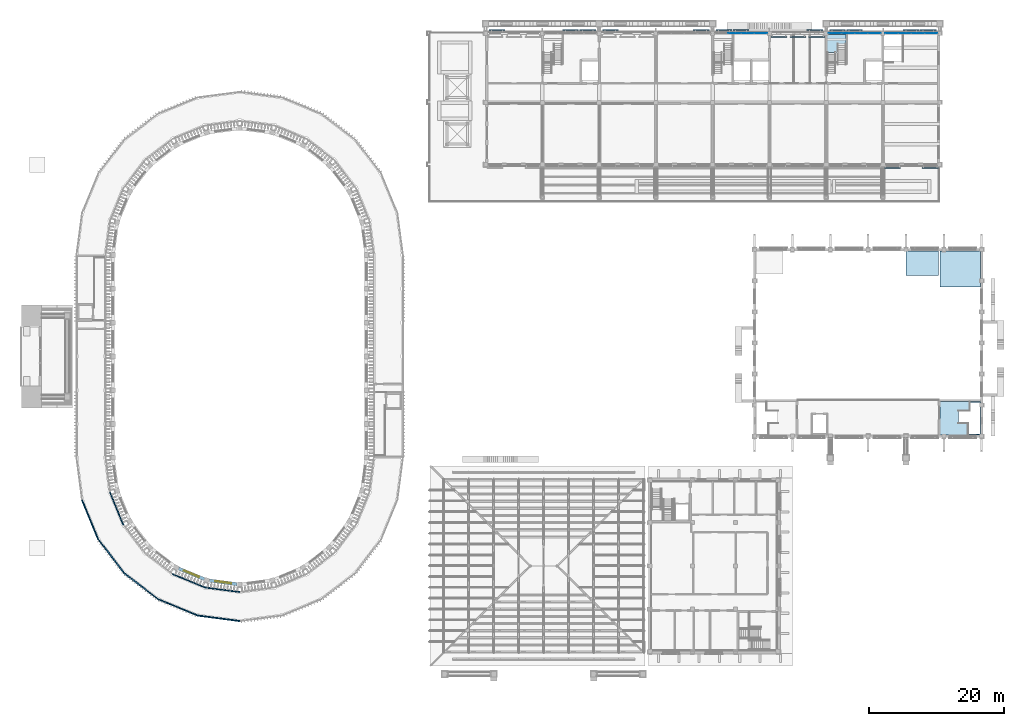
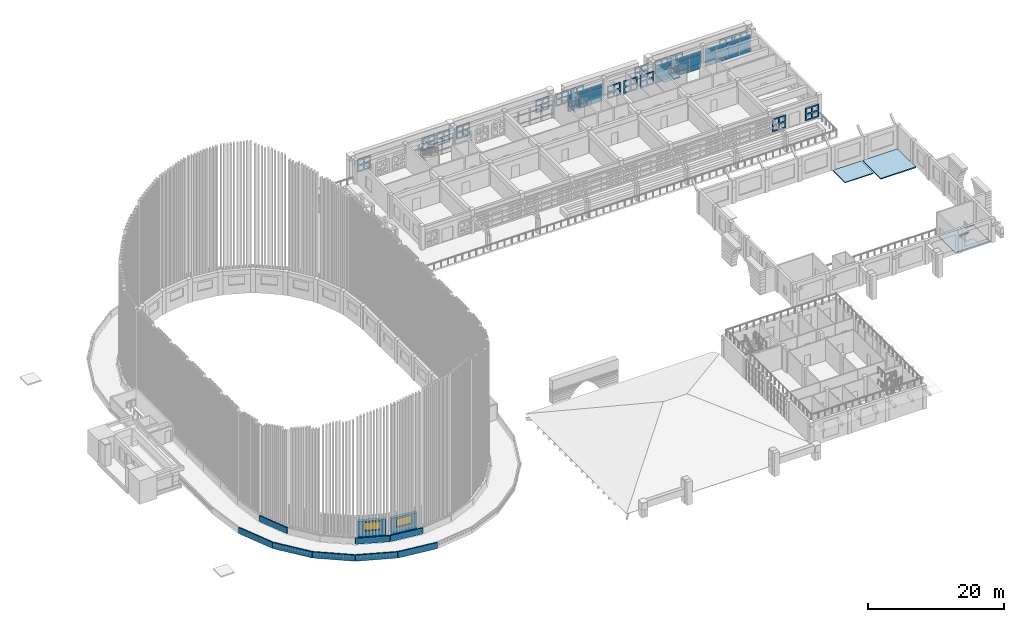
# One storey, part 20 of 68: 50 plates, 10 walls, 4 slabs, 2 windows, 2 openings, 4 elements without a shape of their own.
"""IFC4 building model written with IfcOpenShell, lengths in metres."""

from ifc_helpers import new_model, si_unit, direction, frame, frame_2d, origin, origin_2d, place, context, subcontext, project, spatial, polyline, rectangle, outline, extrude, material, layer, layer_set, material_profile, profile_set, type_object, element, fill, aggregate, save


model = new_model("IFC4")

# Units and contexts
model_context = context("Model", 3, precision=1e-05, world=origin(), true_north=direction((0.0, 1.0)))
body_context = subcontext(model_context, "Body", "Model", "MODEL_VIEW")
ifc_project = project(units=[si_unit("LENGTHUNIT", "METRE"), si_unit("AREAUNIT", "SQUARE_METRE"), si_unit("VOLUMEUNIT", "CUBIC_METRE"), si_unit("PLANEANGLEUNIT", "RADIAN"), si_unit("MASSUNIT", "GRAM", prefix="KILO")], contexts=[model_context])

# Site, building, storey
site_placement = place(None, origin())
site = spatial("IfcSite", under=ifc_project, at=site_placement, CompositionType="ELEMENT")
building_placement = place(site_placement, origin())
building = spatial("IfcBuilding", under=site, at=building_placement, Name="Wasatch Bagh Community Centre", CompositionType="ELEMENT")
storey_placement = place(building_placement, frame((0.0, 0.0, 8.39990234375)))
storey = spatial("IfcBuildingStorey", under=building, at=storey_placement, Name="L02", CompositionType="ELEMENT", Elevation=8.39990234375)

# Curtain wall, plates
ifc_material_1 = material(Name="Aluminium curtain wall frame with low-iron glass", Category="aluminium")
ifc_layer_1 = layer(ifc_material_1, 0.10009765625)
ifc_layer_set_1 = layer_set([ifc_layer_1], Name="Aluminium curtain wall frame with low-iron glass")
curtain_wall_type = type_object("IfcCurtainWallType", Name="LW curtain wall 100", PredefinedType="NOTDEFINED", material=ifc_layer_set_1)
curtain_wall_1_placement = place(storey_placement, origin())
curtain_wall_1 = element("IfcCurtainWall", 1, at=curtain_wall_1_placement, inside=storey, type_object=curtain_wall_type, Name="Curtain wall 02.03", PredefinedType="NOTDEFINED")
ifc_material_2 = material(Name="Low-iron insulated glass", Category="glass")
ifc_layer_2 = layer(ifc_material_2, 0.028076171875)
ifc_layer_set_2 = layer_set([ifc_layer_2], Name="Low-iron insulated glass")
plate_type_1 = type_object("IfcPlateType", Name="LW curtain wall panel 28", PredefinedType="CURTAIN_PANEL", material=ifc_layer_set_2)
plate_1_placement = place(storey_placement, frame((109.22509765625, 97.800048828125, 0.06005859375), z_axis=(0.0, 0.0, 1.0), x_axis=(1.0, 0.0, 0.0)))
plate_1 = element("IfcPlate", 2, at=plate_1_placement, type_object=plate_type_1, Name="LW-CW1 panel 2.1", PredefinedType="CURTAIN_PANEL", context=body_context, shape_type="SweptSolid", body=[
    extrude(rectangle(XDim=1.889892578125, YDim=0.028076171875, at=origin_2d()), origin(), (0.0, 0.0, 1.0), 0.81005859375),
])
plate_2_placement = place(storey_placement, frame((109.22509765625, 97.800048828125, 0.93017578125), z_axis=(0.0, 0.0, 1.0), x_axis=(1.0, 0.0, 0.0)))
plate_2 = element("IfcPlate", 3, at=plate_2_placement, type_object=plate_type_1, Name="LW-CW1 panel 2.2", PredefinedType="CURTAIN_PANEL", context=body_context, shape_type="SweptSolid", body=[
    extrude(rectangle(XDim=1.889892578125, YDim=0.028076171875, at=origin_2d()), origin(), (0.0, 0.0, 1.0), 1.43994140625),
])
plate_3_placement = place(storey_placement, frame((109.22509765625, 97.800048828125, 2.43017578125), z_axis=(0.0, 0.0, 1.0), x_axis=(1.0, 0.0, 0.0)))
plate_3 = element("IfcPlate", 4, at=plate_3_placement, type_object=plate_type_1, Name="LW-CW1 panel 2.3", PredefinedType="CURTAIN_PANEL", context=body_context, shape_type="SweptSolid", body=[
    extrude(rectangle(XDim=1.889892578125, YDim=0.028076171875, at=origin_2d()), origin(), (0.0, 0.0, 1.0), 0.830078125),
])
plate_4_placement = place(storey_placement, frame((111.175048828125, 97.800048828125, 0.06005859375), z_axis=(0.0, 0.0, 1.0), x_axis=(1.0, 0.0, 0.0)))
plate_4 = element("IfcPlate", 5, at=plate_4_placement, type_object=plate_type_1, Name="LW-CW1 panel 3.1", PredefinedType="CURTAIN_PANEL", context=body_context, shape_type="SweptSolid", body=[
    extrude(rectangle(XDim=1.889892578125, YDim=0.028076171875, at=origin_2d()), origin(), (0.0, 0.0, 1.0), 0.81005859375),
])
plate_5_placement = place(storey_placement, frame((111.175048828125, 97.800048828125, 0.93017578125), z_axis=(0.0, 0.0, 1.0), x_axis=(1.0, 0.0, 0.0)))
plate_5 = element("IfcPlate", 6, at=plate_5_placement, type_object=plate_type_1, Name="LW-CW1 panel 3.2", PredefinedType="CURTAIN_PANEL", context=body_context, shape_type="SweptSolid", body=[
    extrude(rectangle(XDim=1.889892578125, YDim=0.028076171875, at=origin_2d()), origin(), (0.0, 0.0, 1.0), 1.43994140625),
])
plate_6_placement = place(storey_placement, frame((111.175048828125, 97.800048828125, 2.43017578125), z_axis=(0.0, 0.0, 1.0), x_axis=(1.0, 0.0, 0.0)))
plate_6 = element("IfcPlate", 7, at=plate_6_placement, type_object=plate_type_1, Name="LW-CW1 panel 3.3", PredefinedType="CURTAIN_PANEL", context=body_context, shape_type="SweptSolid", body=[
    extrude(rectangle(XDim=1.889892578125, YDim=0.028076171875, at=origin_2d()), origin(), (0.0, 0.0, 1.0), 0.830078125),
])
plate_7_placement = place(storey_placement, frame((113.110107421875, 97.800048828125, 0.06005859375), z_axis=(0.0, 0.0, 1.0), x_axis=(1.0, 0.0, 0.0)))
plate_7 = element("IfcPlate", 8, at=plate_7_placement, type_object=plate_type_1, Name="LW-CW1 panel 4.1", PredefinedType="CURTAIN_PANEL", context=body_context, shape_type="SweptSolid", body=[
    extrude(rectangle(XDim=1.860107421875, YDim=0.028076171875, at=origin_2d()), origin(), (0.0, 0.0, 1.0), 0.81005859375),
])
plate_8_placement = place(storey_placement, frame((113.110107421875, 97.800048828125, 0.93017578125), z_axis=(0.0, 0.0, 1.0), x_axis=(1.0, 0.0, 0.0)))
plate_8 = element("IfcPlate", 9, at=plate_8_placement, type_object=plate_type_1, Name="LW-CW1 panel 4.2", PredefinedType="CURTAIN_PANEL", context=body_context, shape_type="SweptSolid", body=[
    extrude(rectangle(XDim=1.860107421875, YDim=0.028076171875, at=origin_2d()), origin(), (0.0, 0.0, 1.0), 1.43994140625),
])
plate_9_placement = place(storey_placement, frame((113.110107421875, 97.800048828125, 2.43017578125), z_axis=(0.0, 0.0, 1.0), x_axis=(1.0, 0.0, 0.0)))
plate_9 = element("IfcPlate", 10, at=plate_9_placement, type_object=plate_type_1, Name="LW-CW1 panel 4.3", PredefinedType="CURTAIN_PANEL", context=body_context, shape_type="SweptSolid", body=[
    extrude(rectangle(XDim=1.860107421875, YDim=0.028076171875, at=origin_2d()), origin(), (0.0, 0.0, 1.0), 0.830078125),
])
aggregate(curtain_wall_1, [plate_1, plate_2, plate_3, plate_4, plate_5, plate_6, plate_7, plate_8, plate_9])

curtain_wall_2_placement = place(storey_placement, origin())
curtain_wall_2 = element("IfcCurtainWall", 11, at=curtain_wall_2_placement, inside=storey, type_object=curtain_wall_type, Name="Curtain wall 02.04", PredefinedType="NOTDEFINED")
plate_10_placement = place(storey_placement, frame((124.090087890625, 97.800048828125, 0.06005859375), z_axis=(0.0, 0.0, 1.0), x_axis=(1.0, 0.0, 0.0)))
plate_10 = element("IfcPlate", 12, at=plate_10_placement, type_object=plate_type_1, Name="LW-CW1 panel 1.1", PredefinedType="CURTAIN_PANEL", context=body_context, shape_type="SweptSolid", body=[
    extrude(rectangle(XDim=1.860107421875, YDim=0.028076171875, at=origin_2d()), origin(), (0.0, 0.0, 1.0), 0.81005859375),
])
plate_11_placement = place(storey_placement, frame((124.090087890625, 97.800048828125, 0.93017578125), z_axis=(0.0, 0.0, 1.0), x_axis=(1.0, 0.0, 0.0)))
plate_11 = element("IfcPlate", 13, at=plate_11_placement, type_object=plate_type_1, Name="LW-CW1 panel 1.2", PredefinedType="CURTAIN_PANEL", context=body_context, shape_type="SweptSolid", body=[
    extrude(rectangle(XDim=1.860107421875, YDim=0.028076171875, at=origin_2d()), origin(), (0.0, 0.0, 1.0), 1.43994140625),
])
plate_12_placement = place(storey_placement, frame((124.090087890625, 97.800048828125, 2.43017578125), z_axis=(0.0, 0.0, 1.0), x_axis=(1.0, 0.0, 0.0)))
plate_12 = element("IfcPlate", 14, at=plate_12_placement, type_object=plate_type_1, Name="LW-CW1 panel 1.3", PredefinedType="CURTAIN_PANEL", context=body_context, shape_type="SweptSolid", body=[
    extrude(rectangle(XDim=1.860107421875, YDim=0.028076171875, at=origin_2d()), origin(), (0.0, 0.0, 1.0), 0.830078125),
])
plate_13_placement = place(storey_placement, frame((126.02490234375, 97.800048828125, 0.06005859375), z_axis=(0.0, 0.0, 1.0), x_axis=(1.0, 0.0, 0.0)))
plate_13 = element("IfcPlate", 15, at=plate_13_placement, type_object=plate_type_1, Name="LW-CW1 panel 2.1", PredefinedType="CURTAIN_PANEL", context=body_context, shape_type="SweptSolid", body=[
    extrude(rectangle(XDim=1.889892578125, YDim=0.028076171875, at=origin_2d()), origin(), (0.0, 0.0, 1.0), 0.81005859375),
])
plate_14_placement = place(storey_placement, frame((126.02490234375, 97.800048828125, 0.93017578125), z_axis=(0.0, 0.0, 1.0), x_axis=(1.0, 0.0, 0.0)))
plate_14 = element("IfcPlate", 16, at=plate_14_placement, type_object=plate_type_1, Name="LW-CW1 panel 2.2", PredefinedType="CURTAIN_PANEL", context=body_context, shape_type="SweptSolid", body=[
    extrude(rectangle(XDim=1.889892578125, YDim=0.028076171875, at=origin_2d()), origin(), (0.0, 0.0, 1.0), 1.43994140625),
])
plate_15_placement = place(storey_placement, frame((126.02490234375, 97.800048828125, 2.43017578125), z_axis=(0.0, 0.0, 1.0), x_axis=(1.0, 0.0, 0.0)))
plate_15 = element("IfcPlate", 17, at=plate_15_placement, type_object=plate_type_1, Name="LW-CW1 panel 2.3", PredefinedType="CURTAIN_PANEL", context=body_context, shape_type="SweptSolid", body=[
    extrude(rectangle(XDim=1.889892578125, YDim=0.028076171875, at=origin_2d()), origin(), (0.0, 0.0, 1.0), 0.830078125),
])
plate_16_placement = place(storey_placement, frame((127.97509765625, 97.800048828125, 0.06005859375), z_axis=(0.0, 0.0, 1.0), x_axis=(1.0, 0.0, 0.0)))
plate_16 = element("IfcPlate", 18, at=plate_16_placement, type_object=plate_type_1, Name="LW-CW1 panel 3.1", PredefinedType="CURTAIN_PANEL", context=body_context, shape_type="SweptSolid", body=[
    extrude(rectangle(XDim=1.889892578125, YDim=0.028076171875, at=origin_2d()), origin(), (0.0, 0.0, 1.0), 0.81005859375),
])
plate_17_placement = place(storey_placement, frame((127.97509765625, 97.800048828125, 0.93017578125), z_axis=(0.0, 0.0, 1.0), x_axis=(1.0, 0.0, 0.0)))
plate_17 = element("IfcPlate", 19, at=plate_17_placement, type_object=plate_type_1, Name="LW-CW1 panel 3.2", PredefinedType="CURTAIN_PANEL", context=body_context, shape_type="SweptSolid", body=[
    extrude(rectangle(XDim=1.889892578125, YDim=0.028076171875, at=origin_2d()), origin(), (0.0, 0.0, 1.0), 1.43994140625),
])
plate_18_placement = place(storey_placement, frame((127.97509765625, 97.800048828125, 2.43017578125), z_axis=(0.0, 0.0, 1.0), x_axis=(1.0, 0.0, 0.0)))
plate_18 = element("IfcPlate", 20, at=plate_18_placement, type_object=plate_type_1, Name="LW-CW1 panel 3.3", PredefinedType="CURTAIN_PANEL", context=body_context, shape_type="SweptSolid", body=[
    extrude(rectangle(XDim=1.889892578125, YDim=0.028076171875, at=origin_2d()), origin(), (0.0, 0.0, 1.0), 0.830078125),
])
plate_19_placement = place(storey_placement, frame((129.909912109375, 97.800048828125, 0.06005859375), z_axis=(0.0, 0.0, 1.0), x_axis=(1.0, 0.0, 0.0)))
plate_19 = element("IfcPlate", 21, at=plate_19_placement, type_object=plate_type_1, Name="LW-CW1 panel 4.1", PredefinedType="CURTAIN_PANEL", context=body_context, shape_type="SweptSolid", body=[
    extrude(rectangle(XDim=1.860107421875, YDim=0.028076171875, at=origin_2d()), origin(), (0.0, 0.0, 1.0), 0.81005859375),
])
plate_20_placement = place(storey_placement, frame((129.909912109375, 97.800048828125, 0.93017578125), z_axis=(0.0, 0.0, 1.0), x_axis=(1.0, 0.0, 0.0)))
plate_20 = element("IfcPlate", 22, at=plate_20_placement, type_object=plate_type_1, Name="LW-CW1 panel 4.2", PredefinedType="CURTAIN_PANEL", context=body_context, shape_type="SweptSolid", body=[
    extrude(rectangle(XDim=1.860107421875, YDim=0.028076171875, at=origin_2d()), origin(), (0.0, 0.0, 1.0), 1.43994140625),
])
plate_21_placement = place(storey_placement, frame((129.909912109375, 97.800048828125, 2.43017578125), z_axis=(0.0, 0.0, 1.0), x_axis=(1.0, 0.0, 0.0)))
plate_21 = element("IfcPlate", 23, at=plate_21_placement, type_object=plate_type_1, Name="LW-CW1 panel 4.3", PredefinedType="CURTAIN_PANEL", context=body_context, shape_type="SweptSolid", body=[
    extrude(rectangle(XDim=1.860107421875, YDim=0.028076171875, at=origin_2d()), origin(), (0.0, 0.0, 1.0), 0.830078125),
])
aggregate(curtain_wall_2, [plate_10, plate_11, plate_12, plate_13, plate_14, plate_15, plate_16, plate_17, plate_18, plate_19, plate_20, plate_21])

curtain_wall_3_placement = place(storey_placement, origin())
curtain_wall_3 = element("IfcCurtainWall", 24, at=curtain_wall_3_placement, inside=storey, type_object=curtain_wall_type, Name="Curtain wall 02.05", PredefinedType="NOTDEFINED")
plate_22_placement = place(storey_placement, frame((132.489990234375, 97.800048828125, 0.06005859375), z_axis=(0.0, 0.0, 1.0), x_axis=(1.0, 0.0, 0.0)))
plate_22 = element("IfcPlate", 25, at=plate_22_placement, type_object=plate_type_1, Name="LW-CW1 panel 1.1", PredefinedType="CURTAIN_PANEL", context=body_context, shape_type="SweptSolid", body=[
    extrude(rectangle(XDim=1.860107421875, YDim=0.028076171875, at=origin_2d()), origin(), (0.0, 0.0, 1.0), 0.81005859375),
])
plate_23_placement = place(storey_placement, frame((132.489990234375, 97.800048828125, 0.93017578125), z_axis=(0.0, 0.0, 1.0), x_axis=(1.0, 0.0, 0.0)))
plate_23 = element("IfcPlate", 26, at=plate_23_placement, type_object=plate_type_1, Name="LW-CW1 panel 1.2", PredefinedType="CURTAIN_PANEL", context=body_context, shape_type="SweptSolid", body=[
    extrude(rectangle(XDim=1.860107421875, YDim=0.028076171875, at=origin_2d()), origin(), (0.0, 0.0, 1.0), 1.43994140625),
])
plate_24_placement = place(storey_placement, frame((132.489990234375, 97.800048828125, 2.43017578125), z_axis=(0.0, 0.0, 1.0), x_axis=(1.0, 0.0, 0.0)))
plate_24 = element("IfcPlate", 27, at=plate_24_placement, type_object=plate_type_1, Name="LW-CW1 panel 1.3", PredefinedType="CURTAIN_PANEL", context=body_context, shape_type="SweptSolid", body=[
    extrude(rectangle(XDim=1.860107421875, YDim=0.028076171875, at=origin_2d()), origin(), (0.0, 0.0, 1.0), 0.830078125),
])
plate_25_placement = place(storey_placement, frame((134.425048828125, 97.800048828125, 0.06005859375), z_axis=(0.0, 0.0, 1.0), x_axis=(1.0, 0.0, 0.0)))
plate_25 = element("IfcPlate", 28, at=plate_25_placement, type_object=plate_type_1, Name="LW-CW1 panel 2.1", PredefinedType="CURTAIN_PANEL", context=body_context, shape_type="SweptSolid", body=[
    extrude(rectangle(XDim=1.889892578125, YDim=0.028076171875, at=origin_2d()), origin(), (0.0, 0.0, 1.0), 0.81005859375),
])
plate_26_placement = place(storey_placement, frame((134.425048828125, 97.800048828125, 0.93017578125), z_axis=(0.0, 0.0, 1.0), x_axis=(1.0, 0.0, 0.0)))
plate_26 = element("IfcPlate", 29, at=plate_26_placement, type_object=plate_type_1, Name="LW-CW1 panel 2.2", PredefinedType="CURTAIN_PANEL", context=body_context, shape_type="SweptSolid", body=[
    extrude(rectangle(XDim=1.889892578125, YDim=0.028076171875, at=origin_2d()), origin(), (0.0, 0.0, 1.0), 1.43994140625),
])
plate_27_placement = place(storey_placement, frame((134.425048828125, 97.800048828125, 2.43017578125), z_axis=(0.0, 0.0, 1.0), x_axis=(1.0, 0.0, 0.0)))
plate_27 = element("IfcPlate", 30, at=plate_27_placement, type_object=plate_type_1, Name="LW-CW1 panel 2.3", PredefinedType="CURTAIN_PANEL", context=body_context, shape_type="SweptSolid", body=[
    extrude(rectangle(XDim=1.889892578125, YDim=0.028076171875, at=origin_2d()), origin(), (0.0, 0.0, 1.0), 0.830078125),
])
plate_28_placement = place(storey_placement, frame((136.375, 97.800048828125, 0.06005859375), z_axis=(0.0, 0.0, 1.0), x_axis=(1.0, 0.0, 0.0)))
plate_28 = element("IfcPlate", 31, at=plate_28_placement, type_object=plate_type_1, Name="LW-CW1 panel 3.1", PredefinedType="CURTAIN_PANEL", context=body_context, shape_type="SweptSolid", body=[
    extrude(rectangle(XDim=1.889892578125, YDim=0.028076171875, at=origin_2d()), origin(), (0.0, 0.0, 1.0), 0.81005859375),
])
plate_29_placement = place(storey_placement, frame((136.375, 97.800048828125, 0.93017578125), z_axis=(0.0, 0.0, 1.0), x_axis=(1.0, 0.0, 0.0)))
plate_29 = element("IfcPlate", 32, at=plate_29_placement, type_object=plate_type_1, Name="LW-CW1 panel 3.2", PredefinedType="CURTAIN_PANEL", context=body_context, shape_type="SweptSolid", body=[
    extrude(rectangle(XDim=1.889892578125, YDim=0.028076171875, at=origin_2d()), origin(), (0.0, 0.0, 1.0), 1.43994140625),
])
plate_30_placement = place(storey_placement, frame((136.375, 97.800048828125, 2.43017578125), z_axis=(0.0, 0.0, 1.0), x_axis=(1.0, 0.0, 0.0)))
plate_30 = element("IfcPlate", 33, at=plate_30_placement, type_object=plate_type_1, Name="LW-CW1 panel 3.3", PredefinedType="CURTAIN_PANEL", context=body_context, shape_type="SweptSolid", body=[
    extrude(rectangle(XDim=1.889892578125, YDim=0.028076171875, at=origin_2d()), origin(), (0.0, 0.0, 1.0), 0.830078125),
])
plate_31_placement = place(storey_placement, frame((138.31005859375, 97.800048828125, 0.06005859375), z_axis=(0.0, 0.0, 1.0), x_axis=(1.0, 0.0, 0.0)))
plate_31 = element("IfcPlate", 34, at=plate_31_placement, type_object=plate_type_1, Name="LW-CW1 panel 4.1", PredefinedType="CURTAIN_PANEL", context=body_context, shape_type="SweptSolid", body=[
    extrude(rectangle(XDim=1.860107421875, YDim=0.028076171875, at=origin_2d()), origin(), (0.0, 0.0, 1.0), 0.81005859375),
])
plate_32_placement = place(storey_placement, frame((138.31005859375, 97.800048828125, 0.93017578125), z_axis=(0.0, 0.0, 1.0), x_axis=(1.0, 0.0, 0.0)))
plate_32 = element("IfcPlate", 35, at=plate_32_placement, type_object=plate_type_1, Name="LW-CW1 panel 4.2", PredefinedType="CURTAIN_PANEL", context=body_context, shape_type="SweptSolid", body=[
    extrude(rectangle(XDim=1.860107421875, YDim=0.028076171875, at=origin_2d()), origin(), (0.0, 0.0, 1.0), 1.43994140625),
])
plate_33_placement = place(storey_placement, frame((138.31005859375, 97.800048828125, 2.43017578125), z_axis=(0.0, 0.0, 1.0), x_axis=(1.0, 0.0, 0.0)))
plate_33 = element("IfcPlate", 36, at=plate_33_placement, type_object=plate_type_1, Name="LW-CW1 panel 4.3", PredefinedType="CURTAIN_PANEL", context=body_context, shape_type="SweptSolid", body=[
    extrude(rectangle(XDim=1.860107421875, YDim=0.028076171875, at=origin_2d()), origin(), (0.0, 0.0, 1.0), 0.830078125),
])
aggregate(curtain_wall_3, [plate_22, plate_23, plate_24, plate_25, plate_26, plate_27, plate_28, plate_29, plate_30, plate_31, plate_32, plate_33])

# Plates
ifc_material_3 = material(Name="Precast concrete C40/50", Category="concrete")
ifc_material_profile = material_profile(ifc_material_3, outline(polyline([(-1.159912109375, -1.159912109375), (1.159912109375, -1.159912109375), (1.159912109375, 1.159912109375), (-1.159912109375, 1.159912109375), (-1.159912109375, -1.159912109375)]), holes=[polyline([(-0.919921875, -0.919921875), (-0.14990234375, -0.919921875), (-0.14990234375, -0.14990234375), (-0.919921875, -0.14990234375), (-0.919921875, -0.919921875)]), polyline([(-0.919921875, 0.14990234375), (-0.14990234375, 0.14990234375), (-0.14990234375, 0.919921875), (-0.919921875, 0.919921875), (-0.919921875, 0.14990234375)]), polyline([(0.14990234375, -0.919921875), (0.919921875, -0.919921875), (0.919921875, -0.14990234375), (0.14990234375, -0.14990234375), (0.14990234375, -0.919921875)]), polyline([(0.14990234375, 0.14990234375), (0.919921875, 0.14990234375), (0.919921875, 0.919921875), (0.14990234375, 0.919921875), (0.14990234375, 0.14990234375)])]), Name="Jali lattice")
ifc_profile_set = profile_set([ifc_material_profile], Name="Precast concrete C40/50")
plate_type_2 = type_object("IfcPlateType", Name="LW jali panel 2320x2320", PredefinedType="SHEET", material=ifc_profile_set)
for number, where, z_axis, x_axis, name in (
    (37, (132.60009765625, 77.89990234375, 1.66015625), (0.0, -1.0, 0.0), (1.0, 0.0, 0.0), "Jali panel"),
    (38, (138.199951171875, 77.89990234375, 1.66015625), (0.0, -1.0, 0.0), (1.0, 0.0, 0.0), "Jali panel"),
):
    element("IfcPlate", number, at=place(storey_placement, frame(where, z_axis=z_axis, x_axis=x_axis)), inside=storey, type_object=plate_type_2, Name=name, PredefinedType="SHEET", context=body_context, shape_type="SweptSolid", body=[
        extrude(outline(polyline([(-1.159912109375, -1.159912109375), (1.159912109375, -1.159912109375), (1.159912109375, 1.159912109375), (-1.159912109375, 1.159912109375), (-1.159912109375, -1.159912109375)]), holes=[polyline([(-0.919921875, -0.919921875), (-0.14990234375, -0.919921875), (-0.14990234375, -0.14990234375), (-0.919921875, -0.14990234375), (-0.919921875, -0.919921875)]), polyline([(-0.919921875, 0.14990234375), (-0.14990234375, 0.14990234375), (-0.14990234375, 0.919921875), (-0.919921875, 0.919921875), (-0.919921875, 0.14990234375)]), polyline([(0.14990234375, -0.919921875), (0.919921875, -0.919921875), (0.919921875, -0.14990234375), (0.14990234375, -0.14990234375), (0.14990234375, -0.919921875)]), polyline([(0.14990234375, 0.14990234375), (0.919921875, 0.14990234375), (0.919921875, 0.919921875), (0.14990234375, 0.919921875), (0.14990234375, 0.14990234375)])]), origin(), (0.0, 0.0, 1.0), 0.06982421875),
    ])
for number, where, z_axis, x_axis, name in (
    (39, (115.800048828125, 97.300048828125, 1.66015625), (0.0, -1.0, 0.0), (1.0, 0.0, 0.0), "Jali panel"),
    (40, (118.60009765625, 97.300048828125, 1.66015625), (0.0, -1.0, 0.0), (1.0, 0.0, 0.0), "Jali panel"),
    (41, (121.39990234375, 97.300048828125, 1.66015625), (0.0, -1.0, 0.0), (1.0, 0.0, 0.0), "Jali panel"),
    (42, (74.06005859375, 98.300048828125, 2.510009765625), (0.0, 1.0, 0.0), (-1.0, 0.0, 0.0), "Jali panel"),
    (43, (84.97998046875, 98.300048828125, 2.510009765625), (0.0, 1.0, 0.0), (-1.0, 0.0, 0.0), "Jali panel"),
    (44, (87.5, 98.300048828125, 2.510009765625), (0.0, 1.0, 0.0), (-1.0, 0.0, 0.0), "Jali panel"),
    (45, (90.860107421875, 98.300048828125, 2.510009765625), (0.0, 1.0, 0.0), (-1.0, 0.0, 0.0), "Jali panel"),
    (46, (104.300048828125, 98.300048828125, 2.510009765625), (0.0, 1.0, 0.0), (-1.0, 0.0, 0.0), "Jali panel"),
    (47, (107.659912109375, 98.300048828125, 2.510009765625), (0.0, 1.0, 0.0), (-1.0, 0.0, 0.0), "Jali panel"),
    (48, (110.179931640625, 98.300048828125, 2.510009765625), (0.0, 1.0, 0.0), (-1.0, 0.0, 0.0), "Jali panel"),
    (49, (121.10009765625, 98.300048828125, 2.510009765625), (0.0, 1.0, 0.0), (-1.0, 0.0, 0.0), "Jali panel"),
    (50, (124.4599609375, 98.300048828125, 2.510009765625), (0.0, 1.0, 0.0), (-1.0, 0.0, 0.0), "Jali panel"),
    (51, (126.97998046875, 98.300048828125, 2.510009765625), (0.0, 1.0, 0.0), (-1.0, 0.0, 0.0), "Jali panel"),
    (52, (135.3798828125, 98.300048828125, 2.510009765625), (0.0, 1.0, 0.0), (-1.0, 0.0, 0.0), "Jali panel"),
    (53, (137.89990234375, 98.300048828125, 2.510009765625), (0.0, 1.0, 0.0), (-1.0, 0.0, 0.0), "Jali panel"),
):
    element("IfcPlate", number, at=place(storey_placement, frame(where, z_axis=z_axis, x_axis=x_axis)), inside=storey, type_object=plate_type_2, Name=name, PredefinedType="SHEET", context=body_context, shape_type="SweptSolid", body=[
        extrude(outline(polyline([(-1.159912109375, -1.159912109375), (1.159912109375, -1.159912109375), (1.159912109375, 1.159912109375), (-1.159912109375, 1.159912109375), (-1.159912109375, -1.159912109375)]), holes=[polyline([(-0.919921875, -0.919921875), (-0.14990234375, -0.919921875), (-0.14990234375, -0.14990234375), (-0.919921875, -0.14990234375), (-0.919921875, -0.919921875)]), polyline([(-0.919921875, 0.14990234375), (-0.14990234375, 0.14990234375), (-0.14990234375, 0.919921875), (-0.919921875, 0.919921875), (-0.919921875, 0.14990234375)]), polyline([(0.14990234375, -0.919921875), (0.919921875, -0.919921875), (0.919921875, -0.14990234375), (0.14990234375, -0.14990234375), (0.14990234375, -0.919921875)]), polyline([(0.14990234375, 0.14990234375), (0.919921875, 0.14990234375), (0.919921875, 0.919921875), (0.14990234375, 0.919921875), (0.14990234375, 0.14990234375)])]), origin(), (0.0, 0.0, 1.0), 0.070068359375),
    ])

# Stair, slab
ifc_material_4 = material(Name="Concrete C35", Category="concrete")
stair_type = type_object("IfcStairType", Name="LW core stair", PredefinedType="HALF_TURN_STAIR", material=ifc_material_4)
stair_placement = place(storey_placement, origin())
stair = element("IfcStair", 54, at=stair_placement, inside=storey, type_object=stair_type, Name="Stair Stair and Lift C3", PredefinedType="HALF_TURN_STAIR")
ifc_layer_3 = layer(ifc_material_4, 0.199951171875)
ifc_layer_set_3 = layer_set([ifc_layer_3], Name="Concrete C35")
slab_type_1 = type_object("IfcSlabType", Name="LW stair landing 200", PredefinedType="LANDING", material=ifc_layer_set_3)
slab_1_placement = place(storey_placement, frame((0.0, 0.0, 1.900146484375)))
slab_1 = element("IfcSlab", 55, at=slab_1_placement, type_object=slab_type_1, Name="ST-C3-2 landing 1", PredefinedType="LANDING", context=body_context, shape_type="SweptSolid", body=[
    extrude(outline(polyline([(122.925048828125, 94.9599609375), (125.735107421875, 94.9599609375), (125.735107421875, 97.60009765625), (122.925048828125, 97.60009765625), (122.925048828125, 94.9599609375)])), origin(), (0.0, 0.0, 1.0), 0.199951171875),
])
aggregate(stair, [slab_1])

# Slabs
ifc_layer_4 = layer(ifc_material_4, 0.1298828125)
ifc_layer_set_4 = layer_set([ifc_layer_4], Name="Concrete C35")
slab_type_2 = type_object("IfcSlabType", Name="SH ceiling slab slab 130", PredefinedType="FLOOR", material=ifc_layer_set_4)
slab_2_placement = place(storey_placement, frame((0.0, 0.0, -0.1298828125)))
element("IfcSlab", 56, at=slab_2_placement, inside=storey, type_object=slab_type_2, Name="SH.slab.L02.store", PredefinedType="FLOOR", context=body_context, shape_type="SweptSolid", body=[
    extrude(outline(polyline([(134.60009765625, 62.0), (139.39990234375, 62.0), (139.39990234375, 65.60009765625), (134.60009765625, 65.60009765625), (134.60009765625, 62.0)])), origin(), (0.0, 0.0, 1.0), 0.1298828125),
])
ifc_layer_5 = layer(ifc_material_4, 0.18994140625)
ifc_layer_set_5 = layer_set([ifc_layer_5], Name="Concrete C35")
slab_type_3 = type_object("IfcSlabType", Name="SH core roof slab 190", PredefinedType="ROOF", material=ifc_layer_set_5)
slab_3_placement = place(storey_placement, frame((0.0, 0.0, -0.18994140625)))
element("IfcSlab", 57, at=slab_3_placement, inside=storey, type_object=slab_type_3, Name="SH.slab.L01.cap.ST3", PredefinedType="ROOF", context=body_context, shape_type="SweptSolid", body=[
    extrude(outline(polyline([(139.64990234375, 60.25), (145.60009765625, 60.25), (145.60009765625, 65.60009765625), (139.64990234375, 65.60009765625), (139.64990234375, 60.25)])), origin(), (0.0, 0.0, 1.0), 0.18994140625),
])
ifc_layer_6 = layer(ifc_material_4, 0.219970703125)
ifc_layer_set_6 = layer_set([ifc_layer_6], Name="Concrete C35")
slab_type_4 = type_object("IfcSlabType", Name="SH gallery floor slab 220", PredefinedType="FLOOR", material=ifc_layer_set_6)
slab_4_placement = place(storey_placement, frame((0.0, 0.0, -0.219970703125)))
element("IfcSlab", 58, at=slab_4_placement, inside=storey, type_object=slab_type_4, Name="SH.slab.L02.core.ST2", PredefinedType="FLOOR", context=body_context, shape_type="SweptSolid", body=[
    extrude(outline(polyline([(139.64990234375, 38.39990234375), (145.60009765625, 38.39990234375), (145.60009765625, 43.35009765625), (139.64990234375, 43.35009765625), (139.64990234375, 38.39990234375)]), holes=[polyline([(143.80810546875, 38.550048828125), (145.550048828125, 38.550048828125), (145.550048828125, 43.199951171875), (144.080078125, 43.199951171875), (144.080078125, 41.89990234375), (142.389892578125, 41.89990234375), (142.389892578125, 40.14990234375), (143.80810546875, 40.14990234375), (143.80810546875, 38.550048828125)])]), origin(), (0.0, 0.0, 1.0), 0.219970703125),
])

# Walls
ifc_material_5 = material(Name="Concrete C40", Category="concrete")
ifc_layer_7 = layer(ifc_material_5, 0.199951171875)
ifc_layer_set_7 = layer_set([ifc_layer_7], Name="Concrete C40")
wall_type_1 = type_object("IfcWallType", Name="Drum parapet RC WALL 200", PredefinedType="PARAPET", material=ifc_layer_set_7)
for number, where, z_axis, x_axis, name in (
    (59, (12.67822265625, 28.736572265625, 0.0), (0.0, 0.0, 1.0), (0.382683886571, -0.923879344373, 0.0), "Terrace parapet outer 2"),
    (60, (15.093994140625, 22.913818359375, 0.0), (0.0, 0.0, 1.0), (0.608770391873, -0.793346462763, 0.0), "Terrace parapet outer 3"),
    (61, (18.9345703125, 17.914794921875, 0.0), (0.0, 0.0, 1.0), (0.793346462763, -0.608770391873, 0.0), "Terrace parapet outer 4"),
    (62, (23.93798828125, 14.080078125, 0.0), (0.0, 0.0, 1.0), (0.923879344373, -0.382683886571, 0.0), "Terrace parapet outer 5"),
    (63, (29.763427734375, 11.671142578125, 0.0), (0.0, 0.0, 1.0), (0.991442640601, -0.130543059552, 0.0), "Terrace parapet outer 6"),
):
    element("IfcWall", number, at=place(storey_placement, frame(where, z_axis=z_axis, x_axis=x_axis)), inside=storey, type_object=wall_type_1, Name=name, PredefinedType="PARAPET", context=body_context, shape_type="SweptSolid", body=[
        extrude(rectangle(XDim=6.2763671875, YDim=0.199951171875, at=frame_2d((3.13818359375, 0.0))), origin(), (0.0, 0.0, 1.0), 1.10009765625),
    ])
for number, where, z_axis, x_axis, name in (
    (64, (16.831787109375, 29.849609375, 0.0), (0.0, 0.0, 1.0), (0.382650224212, -0.92389328708, 0.0), "Terrace parapet inner 2"),
    (65, (26.087890625, 17.803955078125, 0.0), (0.0, 0.0, 1.0), (0.92389328708, -0.382650224212, 0.0), "Terrace parapet inner 5"),
    (66, (30.876220703125, 15.824462890625, 0.0), (0.0, 0.0, 1.0), (0.991447845086, -0.13050352667, 0.0), "Terrace parapet inner 6"),
):
    element("IfcWall", number, at=place(storey_placement, frame(where, z_axis=z_axis, x_axis=x_axis)), inside=storey, type_object=wall_type_1, Name=name, PredefinedType="PARAPET", context=body_context, shape_type="SweptSolid", body=[
        extrude(rectangle(XDim=5.154052734375, YDim=0.199951171875, at=frame_2d((2.5771484375, 0.0))), origin(), (0.0, 0.0, 1.0), 1.10009765625),
    ])

# Wall, opening, window
ifc_layer_8 = layer(ifc_material_5, 0.5)
ifc_layer_set_8 = layer_set([ifc_layer_8], Name="Concrete C40")
wall_type_2 = type_object("IfcWallType", Name="MH wall RC WALL 500", PredefinedType="SHEAR", material=ifc_layer_set_8)
wall_1_placement = place(storey_placement, frame((26.98193359375, 18.6142578125, 0.0), z_axis=(0.0, 0.0, 1.0), x_axis=(0.923877504262, -0.382688328955, 0.0)))
wall_1 = element("IfcWall", 67, at=wall_1_placement, inside=storey, type_object=wall_type_2, Name="Capsule wall 5", PredefinedType="SHEAR", context=body_context, shape_type="SweptSolid", body=[
    extrude(rectangle(XDim=4.121826171875, YDim=0.5, at=frame_2d((2.06103515625, 0.0))), origin(), (0.0, 0.0, 1.0), 3.400146484375),
])
opening_1_placement = place(wall_1_placement, frame((0.86083984375, 0.0, 1.60009765625)))
opening_1 = element("IfcOpeningElement", 68, at=opening_1_placement, cuts=wall_1, Name="Opening 0M-W05", PredefinedType="OPENING", context=body_context, shape_type="SweptSolid", body=[
    extrude(rectangle(XDim=2.39990234375, YDim=1.5, at=frame_2d((1.199951171875, 0.75))), frame((0.0, 0.260009765625, 0.0), z_axis=(0.0, -1.0, 0.0), x_axis=(1.0, 0.0, 0.0)), (0.0, 0.0, 1.0), 0.52001953125),
])
ifc_material_6 = material(Name="Aluminium frame with low-iron insulated glass", Category="aluminium")
window_type = type_object("IfcWindowType", Name="MH clerestory window W1", PartitioningType="SINGLE_PANEL", PredefinedType="WINDOW", material=ifc_material_6)
window_1_placement = place(opening_1_placement, origin())
window_1 = element("IfcWindow", 69, at=window_1_placement, inside=storey, type_object=window_type, Name="Window 0M-W05", OverallHeight=1.5, OverallWidth=2.39990234375, PartitioningType="SINGLE_PANEL", PredefinedType="WINDOW", context=body_context, shape_type="SweptSolid", body=[
    extrude(rectangle(XDim=2.39990234375, YDim=1.5, at=frame_2d((1.199951171875, 0.75))), frame((0.0, 0.030029296875, 0.0), z_axis=(0.0, -1.0, 0.0), x_axis=(1.0, 0.0, 0.0)), (0.0, 0.0, 1.0), 0.06005859375),
])
fill(opening_1, window_1)

wall_2_placement = place(storey_placement, frame((31.5302734375, 16.83837890625, 0.0), z_axis=(0.0, 0.0, 1.0), x_axis=(0.991450464722, -0.130483623501, 0.0)))
wall_2 = element("IfcWall", 70, at=wall_2_placement, inside=storey, type_object=wall_type_2, Name="Capsule wall 6", PredefinedType="SHEAR", context=body_context, shape_type="SweptSolid", body=[
    extrude(rectangle(XDim=4.121826171875, YDim=0.5, at=frame_2d((2.06103515625, 0.0))), origin(), (0.0, 0.0, 1.0), 3.400146484375),
])
opening_2_placement = place(wall_2_placement, frame((0.86083984375, 0.0, 1.60009765625)))
opening_2 = element("IfcOpeningElement", 71, at=opening_2_placement, cuts=wall_2, Name="Opening 0M-W06", PredefinedType="OPENING", context=body_context, shape_type="SweptSolid", body=[
    extrude(rectangle(XDim=2.39990234375, YDim=1.5, at=frame_2d((1.199951171875, 0.75))), frame((0.0, 0.260009765625, 0.0), z_axis=(0.0, -1.0, 0.0), x_axis=(1.0, 0.0, 0.0)), (0.0, 0.0, 1.0), 0.52001953125),
])
window_2_placement = place(opening_2_placement, origin())
window_2 = element("IfcWindow", 72, at=window_2_placement, inside=storey, type_object=window_type, Name="Window 0M-W06", OverallHeight=1.5, OverallWidth=2.39990234375, PartitioningType="SINGLE_PANEL", PredefinedType="WINDOW", context=body_context, shape_type="SweptSolid", body=[
    extrude(rectangle(XDim=2.39990234375, YDim=1.5, at=frame_2d((1.199951171875, 0.75))), frame((0.0, 0.030029296875, 0.0), z_axis=(0.0, -1.0, 0.0), x_axis=(1.0, 0.0, 0.0)), (0.0, 0.0, 1.0), 0.06005859375),
])
fill(opening_2, window_2)

save(model, "model.ifc")
